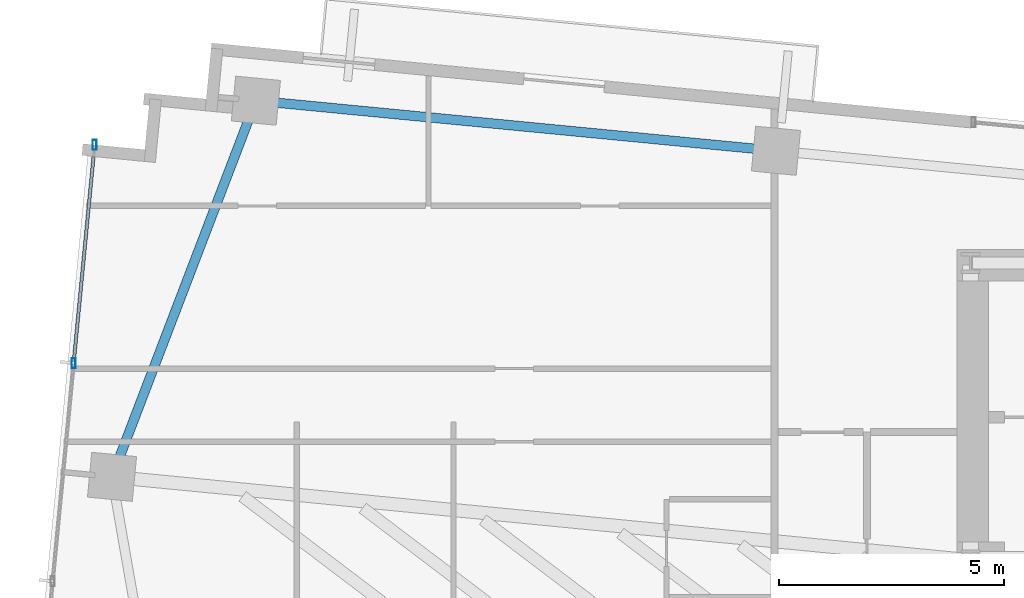
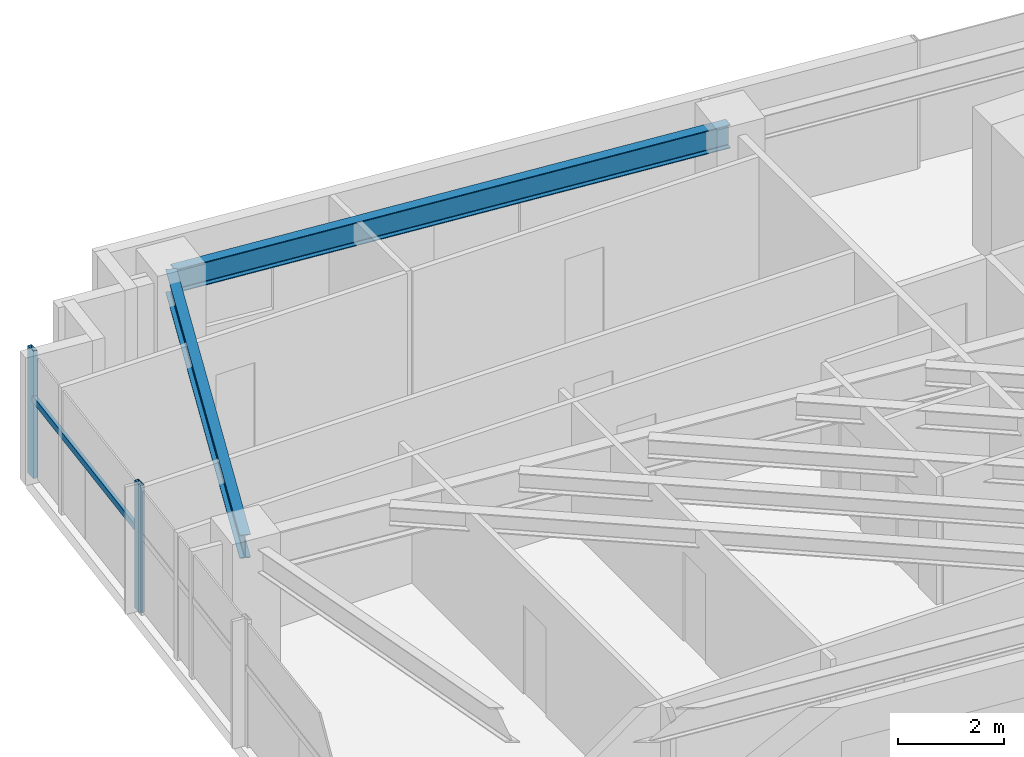
# One storey, part 6 of 20: 3 members, 2 beams, 1 element without a shape of its own.
"""IFC4 building model written with IfcOpenShell, lengths in metres."""

from ifc_helpers import new_model, si_unit, direction, frame, origin, origin_2d, place, context, subcontext, project, spatial, hollow_rectangle, i_section, extrude, source, transform, mapped, material, material_profile, profile_set, type_object, type_shapes, element, aggregate, save


model = new_model("IFC4")

# Units and contexts
model_context = context("Model", 3, precision=1e-05, world=origin(), true_north=direction((0.0, 1.0)))
body_context = subcontext(model_context, "Body", "Model", "MODEL_VIEW")
ifc_project = project(units=[si_unit("LENGTHUNIT", "METRE"), si_unit("AREAUNIT", "SQUARE_METRE"), si_unit("VOLUMEUNIT", "CUBIC_METRE"), si_unit("PLANEANGLEUNIT", "RADIAN"), si_unit("MASSUNIT", "GRAM", prefix="KILO")], contexts=[model_context])

# Site, building, storey
site_placement = place(None, origin())
site = spatial("IfcSite", under=ifc_project, at=site_placement, CompositionType="ELEMENT")
building_placement = place(site_placement, origin())
building = spatial("IfcBuilding", under=site, at=building_placement, Name="Astriad Promenade Condominiums", CompositionType="ELEMENT")
storey_placement = place(building_placement, frame((0.0, 0.0, 127.800048828125)))
storey = spatial("IfcBuildingStorey", under=building, at=storey_placement, Name="L36", CompositionType="ELEMENT", Elevation=127.800048828125)

# Beams
ifc_material_1 = material(Name="Steel ASTM A992 Grade 50", Category="steel")
ifc_material_profile_1 = material_profile(ifc_material_1, i_section(OverallWidth=0.210693359375, OverallDepth=0.53955078125, WebThickness=0.01171875, FlangeThickness=0.018798828125, FilletRadius=0.0166015625, at=origin_2d()), Name="W21X73")
ifc_profile_set_1 = profile_set([ifc_material_profile_1], Name="Steel ASTM A992 Grade 50")
beam_type = type_object("IfcBeamType", Name="STEEL SPANDREL BEAM W21X73", PredefinedType="SPANDREL", material=ifc_profile_set_1)
shared_shape_1 = source(origin(), body_context, "Body", "SweptSolid", [
    extrude(i_section(OverallWidth=0.210693359375, OverallDepth=0.53955078125, WebThickness=0.01171875, FlangeThickness=0.018798828125, FilletRadius=0.0166015625, at=origin_2d()), origin(), (0.0, 0.0, 1.0), 11.52001953125),
])
beam_1_placement = place(storey_placement, frame((22.039794921875, 26.495849609375, 2.670166015625), z_axis=(-0.9953953902, 0.095854145285, 0.0), x_axis=(-0.095854145285, -0.9953953902, 0.0)))
element("IfcBeam", 1, at=beam_1_placement, inside=storey, type_object=beam_type, Name="Perimeter Spandrel Beam SP-N1-L36", PredefinedType="SPANDREL", context=body_context, shape_type="MappedRepresentation", body=[
    mapped(shared_shape_1, transform((0.0, 0.0, 0.0), scale=1.0)),
])
shared_shape_2 = source(origin(), body_context, "Body", "SweptSolid", [
    extrude(i_section(OverallWidth=0.210693359375, OverallDepth=0.53955078125, WebThickness=0.01171875, FlangeThickness=0.018798828125, FilletRadius=0.0166015625, at=origin_2d()), origin(), (0.0, 0.0, 1.0), 8.862548828125),
])
type_shapes(beam_type, [shared_shape_1, shared_shape_2])
beam_2_placement = place(storey_placement, frame((10.518798828125, 27.56640625, 2.670166015625), z_axis=(-0.357322663703, -0.933981003021, 0.0), x_axis=(0.933981003021, -0.357322663703, 0.0)))
element("IfcBeam", 2, at=beam_2_placement, inside=storey, type_object=beam_type, Name="Perimeter Spandrel Beam SP-W2-L36", PredefinedType="SPANDREL", context=body_context, shape_type="MappedRepresentation", body=[
    mapped(shared_shape_2, transform((0.0, 0.0, 0.0), scale=1.0)),
])

# Curtain wall, members
ifc_material_2 = material(Name="Anodised aluminium Black Dark Glass Unitised", Category="aluminium")
curtain_wall_type = type_object("IfcCurtainWallType", Name="CW-B34-DARK", PredefinedType="USERDEFINED", material=ifc_material_2)
curtain_wall_placement = place(storey_placement, origin())
curtain_wall = element("IfcCurtainWall", 3, at=curtain_wall_placement, inside=storey, type_object=curtain_wall_type, Name="CW-L36-W", ObjectType="UNITISED_CURTAIN_WALL", PredefinedType="USERDEFINED")
ifc_material_3 = material(Name="Anodised aluminium 6063-T6 Black", Category="aluminium")
ifc_material_profile_2 = material_profile(ifc_material_3, hollow_rectangle(XDim=0.0849609375, YDim=0.219970703125, WallThickness=0.0048828125, at=origin_2d()), Name="ALU-MUL-85X220")
ifc_profile_set_2 = profile_set([ifc_material_profile_2], Name="Anodised aluminium 6063-T6 Black")
member_type_1 = type_object("IfcMemberType", Name="MUL-ALU-MUL-85X220", PredefinedType="MULLION", material=ifc_profile_set_2)
shared_shape_3 = source(origin(), body_context, "Body", "SweptSolid", [
    extrude(hollow_rectangle(XDim=0.0849609375, YDim=0.219970703125, WallThickness=0.0048828125, at=origin_2d()), origin(), (0.0, 0.0, 1.0), 2.93994140625),
])
type_shapes(member_type_1, [shared_shape_3])
member_1_placement = place(storey_placement, frame((6.486083984375, 21.7783203125, 0.0), z_axis=(0.0, 0.0, 1.0), x_axis=(1.0, 0.0, 0.0)))
member_1 = element("IfcMember", 4, at=member_1_placement, type_object=member_type_1, Name="CW-L36-W-MUL-02", PredefinedType="MULLION", context=body_context, shape_type="MappedRepresentation", body=[
    mapped(shared_shape_3, transform((0.0, 0.0, 0.0), scale=1.0)),
])
member_2_placement = place(storey_placement, frame((6.952392578125, 26.62255859375, 0.0), z_axis=(0.0, 0.0, 1.0), x_axis=(1.0, 0.0, 0.0)))
member_2 = element("IfcMember", 5, at=member_2_placement, type_object=member_type_1, Name="CW-L36-W-MUL-03", PredefinedType="MULLION", context=body_context, shape_type="MappedRepresentation", body=[
    mapped(shared_shape_3, transform((0.0, 0.0, 0.0), scale=1.0)),
])
ifc_material_profile_3 = material_profile(ifc_material_3, hollow_rectangle(XDim=0.074951171875, YDim=0.14990234375, WallThickness=0.004150390625, at=origin_2d()), Name="ALU-TRN-75X150")
ifc_profile_set_3 = profile_set([ifc_material_profile_3], Name="Anodised aluminium 6063-T6 Black")
member_type_2 = type_object("IfcMemberType", Name="TRN-ALU-TRN-75X150", PredefinedType="USERDEFINED", material=ifc_profile_set_3)
shared_shape_4 = source(origin(), body_context, "Body", "SweptSolid", [
    extrude(hollow_rectangle(XDim=0.074951171875, YDim=0.14990234375, WallThickness=0.004150390625, at=origin_2d()), origin(), (0.0, 0.0, 1.0), 4.86669921875),
])
type_shapes(member_type_2, [shared_shape_4])
member_3_placement = place(storey_placement, frame((6.486083984375, 21.7783203125, 1.82275390625), z_axis=(0.095817554883, 0.995398913088, 0.0), x_axis=(-0.995398913088, 0.095817554883, 0.0)))
member_3 = element("IfcMember", 6, at=member_3_placement, type_object=member_type_2, Name="CW-L36-W-TRN-02-0", ObjectType="TRANSOM", PredefinedType="USERDEFINED", context=body_context, shape_type="MappedRepresentation", body=[
    mapped(shared_shape_4, transform((0.0, 0.0, 0.0), scale=1.0)),
])
aggregate(curtain_wall, [member_1, member_2, member_3])

save(model, "model.ifc")
